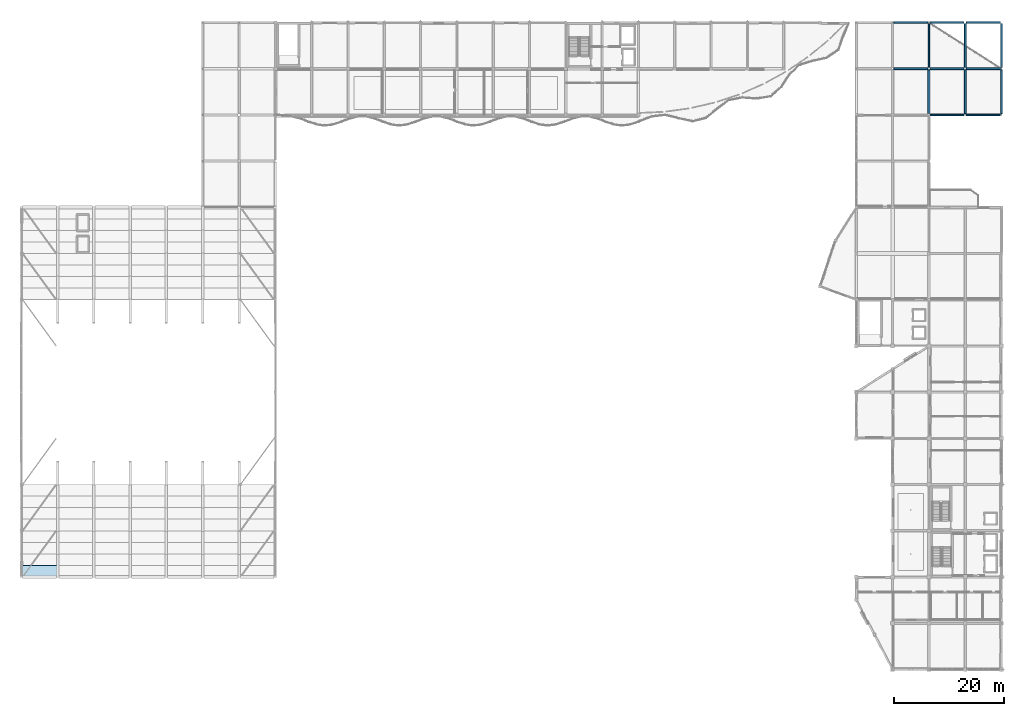
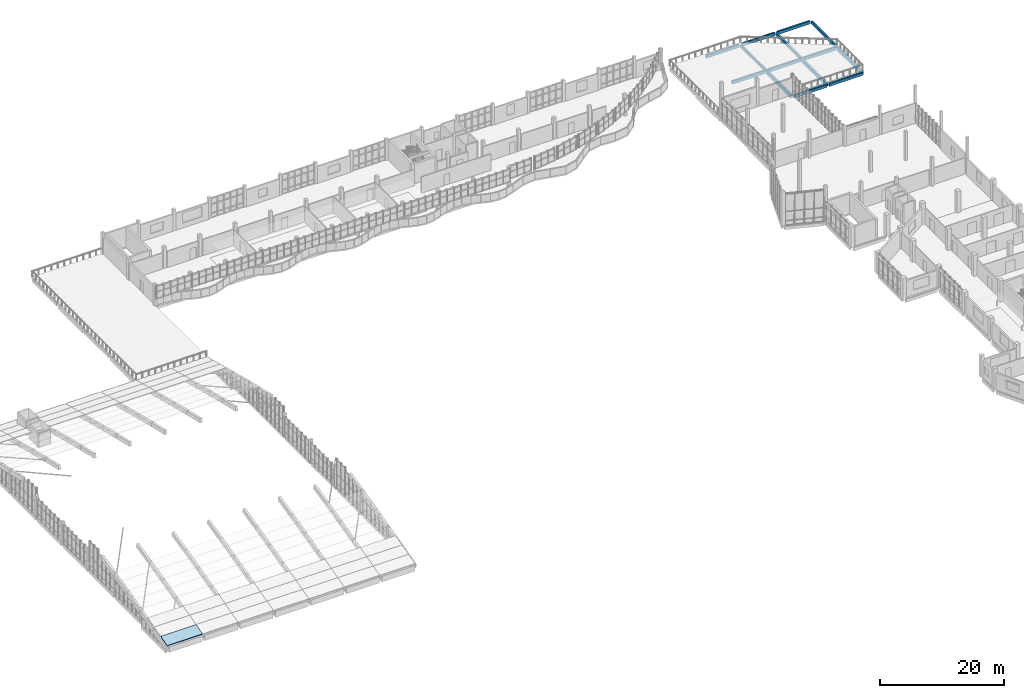
# One storey, part 39 of 78: 14 beams, 1 slab.
"""IFC4 building model written with IfcOpenShell, lengths in metres."""

from ifc_helpers import new_model, si_unit, direction, frame, origin, origin_2d, place, context, subcontext, project, spatial, polyline, rectangle, outline, extrude, material, layer, layer_set, material_profile, profile_set, type_object, element, save


model = new_model("IFC4")

# Units and contexts
model_context = context("Model", 3, precision=1e-05, world=origin(), true_north=direction((0.0, 1.0)))
body_context = subcontext(model_context, "Body", "Model", "MODEL_VIEW")
ifc_project = project(units=[si_unit("LENGTHUNIT", "METRE"), si_unit("AREAUNIT", "SQUARE_METRE"), si_unit("VOLUMEUNIT", "CUBIC_METRE"), si_unit("PLANEANGLEUNIT", "RADIAN"), si_unit("MASSUNIT", "GRAM", prefix="KILO")], contexts=[model_context])

# Site, building, storey
site_placement = place(None, origin())
site = spatial("IfcSite", under=ifc_project, at=site_placement, CompositionType="ELEMENT")
building_placement = place(site_placement, origin())
building = spatial("IfcBuilding", under=site, at=building_placement, Name="Qaldarim Faculty of Natural and Applied Sciences", CompositionType="ELEMENT")
storey_placement = place(building_placement, frame((0.0, 0.0, 18.60009765625)))
storey = spatial("IfcBuildingStorey", under=building, at=storey_placement, Name="L04", CompositionType="ELEMENT", Elevation=18.60009765625)

# Beams
ifc_material_1 = material(Name="Concrete C40/50", Category="concrete")
ifc_material_profile_1 = material_profile(ifc_material_1, rectangle(XDim=0.300048828125, YDim=0.550048828125, at=origin_2d()), Name="RC-B300x550")
ifc_profile_set_1 = profile_set([ifc_material_profile_1], Name="Concrete C40/50")
beam_type_1 = type_object("IfcBeamType", Name="FloorBeam-RC300x550", PredefinedType="BEAM", material=ifc_profile_set_1)
for number, where, z_axis, x_axis, name in (
    (1, (165.0, 109.425048828125, -0.53515625), (0.0, 1.0, 0.0), (-1.0, 0.0, 0.0), "Beam RC-B300x550 L03 X26/Y14-Y15"),
    (2, (171.60009765625, 109.425048828125, -0.53515625), (0.0, 1.0, 0.0), (-1.0, 0.0, 0.0), "Beam RC-B300x550 L03 X27/Y14-Y15"),
    (3, (178.199951171875, 109.425048828125, -0.53515625), (0.0, 1.0, 0.0), (-1.0, 0.0, 0.0), "Beam RC-B300x550 L03 X28/Y14-Y15"),
):
    element("IfcBeam", number, at=place(storey_placement, frame(where, z_axis=z_axis, x_axis=x_axis)), inside=storey, type_object=beam_type_1, Name=name, PredefinedType="BEAM", context=body_context, shape_type="SweptSolid", body=[
        extrude(rectangle(XDim=0.300048828125, YDim=0.550048828125, at=origin_2d()), origin(), (0.0, 0.0, 1.0), 7.949951171875),
    ])
ifc_material_profile_2 = material_profile(ifc_material_1, rectangle(XDim=0.300048828125, YDim=0.64990234375, at=origin_2d()), Name="RC-B300x650")
ifc_profile_set_2 = profile_set([ifc_material_profile_2], Name="Concrete C40/50")
beam_type_2 = type_object("IfcBeamType", Name="PrimaryBeam-RC300x650", PredefinedType="BEAM", material=ifc_profile_set_2)
for number, where, z_axis, x_axis, name in (
    (4, (158.625, 109.199951171875, -0.585205078125), (1.0, 0.0, 0.0), (0.0, 1.0, 0.0), "Beam RC-B300x650 L03 X25-X26/Y14"),
    (5, (165.22509765625, 109.199951171875, -0.585205078125), (1.0, 0.0, 0.0), (0.0, 1.0, 0.0), "Beam RC-B300x650 L03 X26-X27/Y14"),
):
    element("IfcBeam", number, at=place(storey_placement, frame(where, z_axis=z_axis, x_axis=x_axis)), inside=storey, type_object=beam_type_2, Name=name, PredefinedType="BEAM", context=body_context, shape_type="SweptSolid", body=[
        extrude(rectangle(XDim=0.300048828125, YDim=0.64990234375, at=origin_2d()), origin(), (0.0, 0.0, 1.0), 6.14990234375),
    ])
beam_1_placement = place(storey_placement, frame((171.824951171875, 109.199951171875, -0.585205078125), z_axis=(1.0, 0.0, 0.0), x_axis=(0.0, 1.0, 0.0)))
element("IfcBeam", 6, at=beam_1_placement, inside=storey, type_object=beam_type_2, Name="Beam RC-B300x650 L03 X27-X28/Y14", PredefinedType="BEAM", context=body_context, shape_type="SweptSolid", body=[
    extrude(rectangle(XDim=0.300048828125, YDim=0.64990234375, at=origin_2d()), origin(), (0.0, 0.0, 1.0), 6.150146484375),
])
ifc_material_profile_3 = material_profile(ifc_material_1, rectangle(XDim=0.35009765625, YDim=0.699951171875, at=origin_2d()), Name="RC-B350x700")
ifc_profile_set_3 = profile_set([ifc_material_profile_3], Name="Concrete C40/50")
beam_type_3 = type_object("IfcBeamType", Name="PrimaryGirder-RC350x700", PredefinedType="BEAM", material=ifc_profile_set_3)
for number, where, z_axis, x_axis, name in (
    (7, (165.0, 101.02490234375, -0.610107421875), (0.0, 1.0, 0.0), (-1.0, 0.0, 0.0), "Beam RC-B350x700 L03 X26/Y13-Y14"),
    (8, (171.60009765625, 101.02490234375, -0.610107421875), (0.0, 1.0, 0.0), (-1.0, 0.0, 0.0), "Beam RC-B350x700 L03 X27/Y13-Y14"),
    (9, (178.199951171875, 101.02490234375, -0.610107421875), (0.0, 1.0, 0.0), (-1.0, 0.0, 0.0), "Beam RC-B350x700 L03 X28/Y13-Y14"),
):
    element("IfcBeam", number, at=place(storey_placement, frame(where, z_axis=z_axis, x_axis=x_axis)), inside=storey, type_object=beam_type_3, Name=name, PredefinedType="BEAM", context=body_context, shape_type="SweptSolid", body=[
        extrude(rectangle(XDim=0.35009765625, YDim=0.699951171875, at=origin_2d()), origin(), (0.0, 0.0, 1.0), 7.9501953125),
    ])
ifc_material_2 = material(Name="Precast concrete C40/50", Category="concrete")
ifc_material_profile_4 = material_profile(ifc_material_2, rectangle(XDim=0.300048828125, YDim=0.60009765625, at=origin_2d()), Name="RC-SP300x600")
ifc_profile_set_4 = profile_set([ifc_material_profile_4], Name="Precast concrete C40/50")
beam_type_4 = type_object("IfcBeamType", Name="SpandrelBeam-RC300x600", PredefinedType="SPANDREL", material=ifc_profile_set_4)
beam_2_placement = place(storey_placement, frame((165.22509765625, 100.800048828125, -0.56005859375), z_axis=(1.0, 0.0, 0.0), x_axis=(0.0, 1.0, 0.0)))
element("IfcBeam", 10, at=beam_2_placement, inside=storey, type_object=beam_type_4, Name="Beam RC-SP300x600 L03 X26-X27/Y13", PredefinedType="SPANDREL", context=body_context, shape_type="SweptSolid", body=[
    extrude(rectangle(XDim=0.300048828125, YDim=0.60009765625, at=origin_2d()), origin(), (0.0, 0.0, 1.0), 6.14990234375),
])
beam_3_placement = place(storey_placement, frame((171.824951171875, 100.800048828125, -0.56005859375), z_axis=(1.0, 0.0, 0.0), x_axis=(0.0, 1.0, 0.0)))
element("IfcBeam", 11, at=beam_3_placement, inside=storey, type_object=beam_type_4, Name="Beam RC-SP300x600 L03 X27-X28/Y13", PredefinedType="SPANDREL", context=body_context, shape_type="SweptSolid", body=[
    extrude(rectangle(XDim=0.300048828125, YDim=0.60009765625, at=origin_2d()), origin(), (0.0, 0.0, 1.0), 6.150146484375),
])
for number, where, z_axis, x_axis, name in (
    (12, (158.625, 117.60009765625, -0.56005859375), (1.0, 0.0, 0.0), (0.0, 1.0, 0.0), "Beam RC-SP300x600 L03 X25-X26/Y15"),
    (13, (165.22509765625, 117.60009765625, -0.56005859375), (1.0, 0.0, 0.0), (0.0, 1.0, 0.0), "Beam RC-SP300x600 L03 X26-X27/Y15"),
):
    element("IfcBeam", number, at=place(storey_placement, frame(where, z_axis=z_axis, x_axis=x_axis)), inside=storey, type_object=beam_type_4, Name=name, PredefinedType="SPANDREL", context=body_context, shape_type="SweptSolid", body=[
        extrude(rectangle(XDim=0.300048828125, YDim=0.60009765625, at=origin_2d()), origin(), (0.0, 0.0, 1.0), 6.14990234375),
    ])
beam_4_placement = place(storey_placement, frame((171.824951171875, 117.60009765625, -0.56005859375), z_axis=(1.0, 0.0, 0.0), x_axis=(0.0, 1.0, 0.0)))
element("IfcBeam", 14, at=beam_4_placement, inside=storey, type_object=beam_type_4, Name="Beam RC-SP300x600 L03 X27-X28/Y15", PredefinedType="SPANDREL", context=body_context, shape_type="SweptSolid", body=[
    extrude(rectangle(XDim=0.300048828125, YDim=0.60009765625, at=origin_2d()), origin(), (0.0, 0.0, 1.0), 6.150146484375),
])

# Slab
ifc_layer = layer(ifc_material_1, 0.159912109375)
ifc_layer_set = layer_set([ifc_layer], Name="Concrete C40/50")
slab_type = type_object("IfcSlabType", Name="PointedArchShellStrip-160", PredefinedType="ROOF", material=ifc_layer_set)
slab_placement = place(storey_placement, frame((0.0, 16.841552734375, -0.154541015625), z_axis=(0.0, -0.259800336151, 0.965662355762), x_axis=(1.0, 0.0, 0.0)))
element("IfcSlab", 15, at=slab_placement, inside=storey, type_object=slab_type, Name="Pointed-arch shell strip B01-S16", PredefinedType="ROOF", context=body_context, shape_type="SweptSolid", body=[
    extrude(outline(polyline([(0.0, 0.0), (6.60009765625, 0.0), (6.60009765625, 2.174521459902937), (0.0, 2.174521459902937), (0.0, 0.0)])), origin(), (0.0, 0.0, 1.0), 0.159912109375),
])

save(model, "model.ifc")
